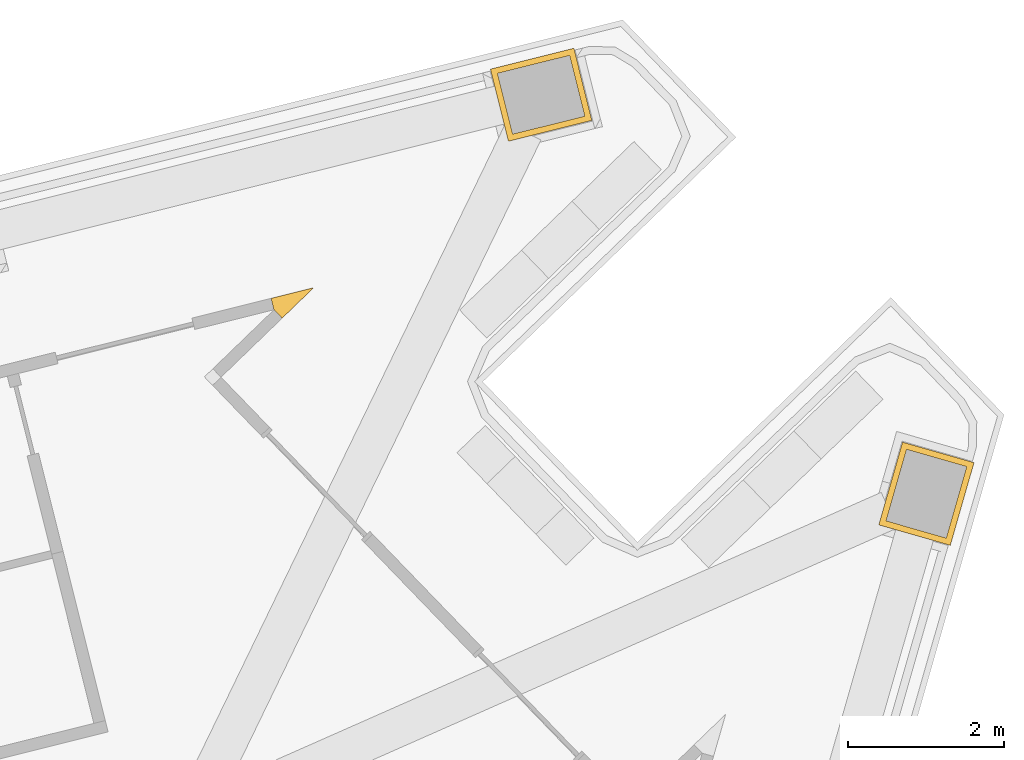
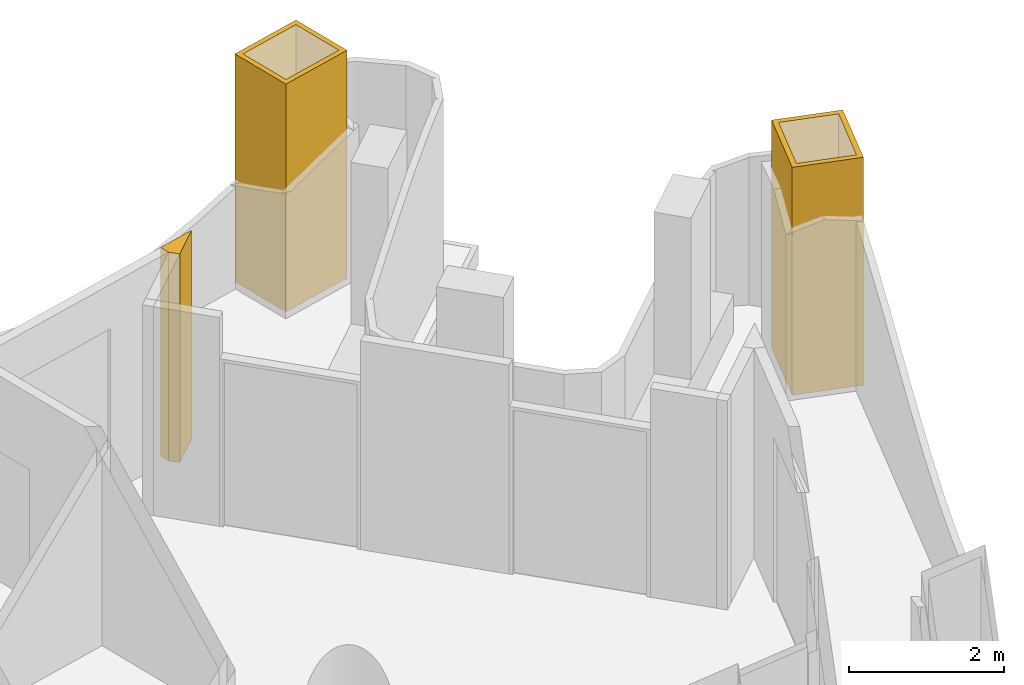
# One storey, part 18 of 19: 3 coverings.
"""IFC4 building model written with IfcOpenShell, lengths in metres."""

from ifc_helpers import new_model, si_unit, direction, frame, origin, place, context, subcontext, project, spatial, polyline, outline, extrude, material, layer, layer_set, type_object, element, save


model = new_model("IFC4")

# Units and contexts
model_context = context("Model", 3, precision=1e-05, world=origin(), true_north=direction((0.0, 1.0)))
body_context = subcontext(model_context, "Body", "Model", "MODEL_VIEW")
ifc_project = project(units=[si_unit("LENGTHUNIT", "METRE"), si_unit("AREAUNIT", "SQUARE_METRE"), si_unit("VOLUMEUNIT", "CUBIC_METRE"), si_unit("PLANEANGLEUNIT", "RADIAN"), si_unit("MASSUNIT", "GRAM", prefix="KILO")], contexts=[model_context])

# Site, building, storey
site_placement = place(None, origin())
site = spatial("IfcSite", under=ifc_project, at=site_placement, CompositionType="ELEMENT")
building_placement = place(site_placement, origin())
building = spatial("IfcBuilding", under=site, at=building_placement, Name="Trine Commons Tower", CompositionType="ELEMENT")
storey_placement = place(building_placement, frame((0.0, 0.0, 105.300048828125)))
storey = spatial("IfcBuildingStorey", under=building, at=storey_placement, Name="L26", CompositionType="ELEMENT", Elevation=105.300048828125)

# Coverings
ifc_material_1 = material(Name="Aluminium-framed insulated wall panel", Category="aluminium")
ifc_layer_1 = layer(ifc_material_1, 0.14990234375)
ifc_layer_set_1 = layer_set([ifc_layer_1], Name="Aluminium-framed insulated wall panel")
covering_type_1 = type_object("IfcCoveringType", Name="Glazing corner post, aluminium", PredefinedType="CLADDING", material=ifc_layer_set_1)
covering_1_placement = place(storey_placement, origin())
element("IfcCovering", 1, at=covering_1_placement, inside=storey, type_object=covering_type_1, Name="Glazing corner post 3-05", PredefinedType="CLADDING", context=body_context, shape_type="SweptSolid", body=[
    extrude(outline(polyline([(98.252197265625, 85.394775390625), (98.65478515625, 85.78369140625), (98.11181640625, 85.648193359375), (98.14794921875, 85.502685546875), (98.252197265625, 85.394775390625)])), origin(), (0.0, 0.0, 1.0), 3.300048828125),
])
ifc_material_2 = material(Name="Limestone, honed", Category="masonry")
ifc_layer_2 = layer(ifc_material_2, 0.074951171875)
ifc_layer_set_2 = layer_set([ifc_layer_2], Name="Limestone, honed")
covering_type_2 = type_object("IfcCoveringType", Name="Limestone column cladding 75", PredefinedType="CLADDING", material=ifc_layer_set_2)
covering_2_placement = place(storey_placement, origin())
element("IfcCovering", 2, at=covering_2_placement, inside=storey, type_object=covering_type_2, Name="Limestone pier cladding 3-16", PredefinedType="CLADDING", context=body_context, shape_type="SweptSolid", body=[
    extrude(outline(polyline([(102.211181640625, 87.922607421875), (101.9814453125, 88.84423828125), (100.9140625, 88.578125), (101.14404296875, 87.656494140625), (102.211181640625, 87.922607421875)]), holes=[polyline([(102.120361328125, 87.97705078125), (101.9267578125, 88.75341796875), (101.0048828125, 88.5234375), (101.198486328125, 87.747314453125), (102.120361328125, 87.97705078125)])]), origin(), (0.0, 0.0, 1.0), 3.599853515625),
])
covering_3_placement = place(storey_placement, origin())
element("IfcCovering", 3, at=covering_3_placement, inside=storey, type_object=covering_type_2, Name="Limestone pier cladding 3-17", PredefinedType="CLADDING", context=body_context, shape_type="SweptSolid", body=[
    extrude(outline(polyline([(107.095458984375, 83.548583984375), (106.18212890625, 83.810546875), (105.87890625, 82.753173828125), (106.792236328125, 82.4912109375), (107.095458984375, 83.548583984375)]), holes=[polyline([(107.002685546875, 83.497314453125), (106.233642578125, 83.7177734375), (105.9716796875, 82.8046875), (106.74072265625, 82.583984375), (107.002685546875, 83.497314453125)])]), origin(), (0.0, 0.0, 1.0), 3.599853515625),
])

save(model, "model.ifc")
